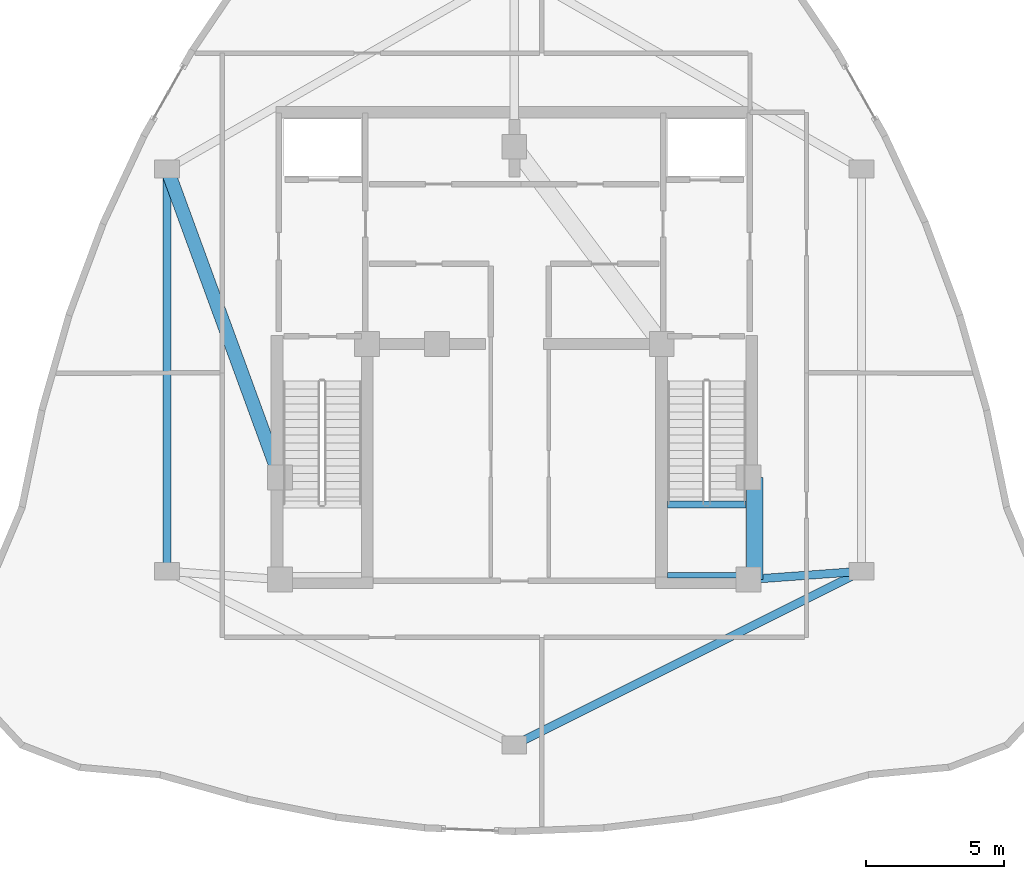
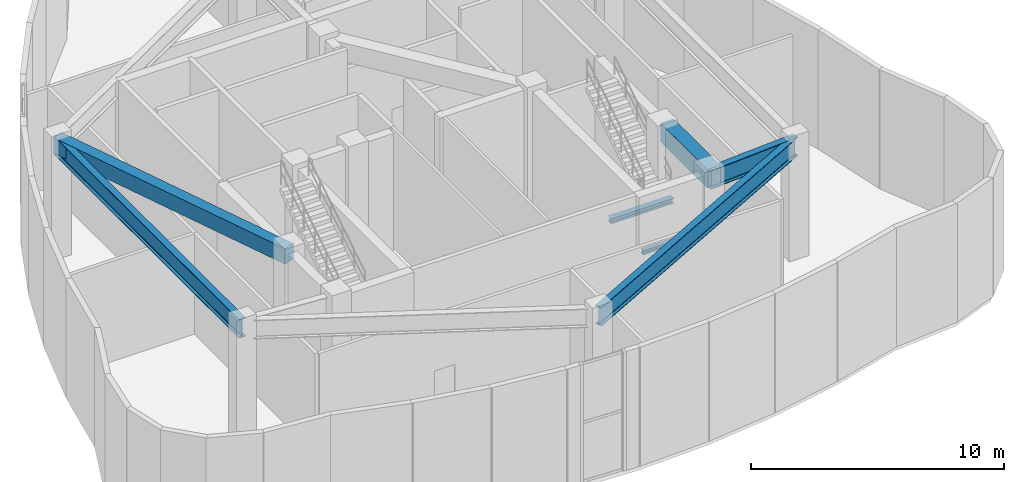
# One storey, part 3 of 10: 7 beams.
"""IFC4 building model written with IfcOpenShell, lengths in metres."""

from ifc_helpers import new_model, si_unit, direction, frame, origin, origin_2d, place, context, subcontext, project, spatial, rectangle, i_section, extrude, material, material_profile, profile_set, type_object, element, save


model = new_model("IFC4")

# Units and contexts
model_context = context("Model", 3, precision=1e-05, world=origin(), true_north=direction((0.0, 1.0)))
body_context = subcontext(model_context, "Body", "Model", "MODEL_VIEW")
ifc_project = project(units=[si_unit("LENGTHUNIT", "METRE"), si_unit("AREAUNIT", "SQUARE_METRE"), si_unit("VOLUMEUNIT", "CUBIC_METRE"), si_unit("PLANEANGLEUNIT", "RADIAN"), si_unit("MASSUNIT", "GRAM", prefix="KILO")], contexts=[model_context])

# Site, building, storey
site_placement = place(None, origin())
site = spatial("IfcSite", under=ifc_project, at=site_placement, CompositionType="ELEMENT")
building_placement = place(site_placement, origin())
building = spatial("IfcBuilding", under=site, at=building_placement, Name="Miruveldt Soraemaru", CompositionType="ELEMENT")
storey_placement = place(building_placement, frame((0.0, 0.0, 306.800048828125)))
storey = spatial("IfcBuildingStorey", under=building, at=storey_placement, Name="L81", CompositionType="ELEMENT", Elevation=306.800048828125)

# Beams
ifc_material_1 = material(Name="Concrete C40/50 (40 MPa)", Category="concrete")
ifc_material_profile_1 = material_profile(ifc_material_1, rectangle(XDim=0.5, YDim=0.75, at=origin_2d()), Name="Concrete C40/50 (40 MPa)", Category="concrete")
ifc_profile_set_1 = profile_set([ifc_material_profile_1], Name="Concrete C40/50 (40 MPa)")
beam_type_1 = type_object("IfcBeamType", Name="BM-RC-500x750", PredefinedType="LINTEL", material=ifc_profile_set_1)
beam_1_placement = place(storey_placement, frame((31.39990234375, 50.39990234375, 5.364990234375), z_axis=(0.343770424598, -0.939053723262, 0.0), x_axis=(0.939053723262, 0.343770424598, 0.0)))
element("IfcBeam", 1, at=beam_1_placement, inside=storey, type_object=beam_type_1, Name="L81 West Lobby Lintel", PredefinedType="LINTEL", context=body_context, shape_type="SweptSolid", body=[
    extrude(rectangle(XDim=0.5, YDim=0.75, at=origin_2d()), origin(), (0.0, 0.0, 1.0), 11.9267578125),
])
ifc_material_2 = material(Name="Concrete C60/75 (60 MPa)", Category="concrete")
ifc_material_profile_2 = material_profile(ifc_material_2, rectangle(XDim=0.60009765625, YDim=0.89990234375, at=origin_2d()), Name="Concrete C60/75 (60 MPa)", Category="concrete")
ifc_profile_set_2 = profile_set([ifc_material_profile_2], Name="Concrete C60/75 (60 MPa)")
beam_type_2 = type_object("IfcBeamType", Name="BM-RC-600x900", PredefinedType="BEAM", material=ifc_profile_set_2)
beam_2_placement = place(storey_placement, frame((52.72998046875, 35.5, 5.2900390625), z_axis=(0.0, 1.0, 0.0), x_axis=(-1.0, 0.0, 0.0)))
element("IfcBeam", 2, at=beam_2_placement, inside=storey, type_object=beam_type_2, Name="L81 Core Tie Beam 3", PredefinedType="BEAM", context=body_context, shape_type="SweptSolid", body=[
    extrude(rectangle(XDim=0.60009765625, YDim=0.89990234375, at=origin_2d()), origin(), (0.0, 0.0, 1.0), 3.699951171875),
])
ifc_material_3 = material(Name="Steel S460 (460 MPa)", Category="steel")
ifc_material_profile_3 = material_profile(ifc_material_3, i_section(OverallWidth=0.300048828125, OverallDepth=0.89990234375, WebThickness=0.01611328125, FlangeThickness=0.028076171875, FilletRadius=0.028076171875, at=origin_2d()), Name="Steel S460 (460 MPa)", Category="steel")
ifc_profile_set_3 = profile_set([ifc_material_profile_3], Name="Steel S460 (460 MPa)")
beam_type_3 = type_object("IfcBeamType", Name="BM-ST-H900", PredefinedType="BEAM", material=ifc_profile_set_3)
beam_3_placement = place(storey_placement, frame((56.60009765625, 35.800048828125, 5.2900390625), z_axis=(-0.894427191, -0.4472135955, 0.0), x_axis=(0.4472135955, -0.894427191, 0.0)))
element("IfcBeam", 3, at=beam_3_placement, inside=storey, type_object=beam_type_3, Name="L81 Inner Ring Girder 3", PredefinedType="BEAM", context=body_context, shape_type="SweptSolid", body=[
    extrude(i_section(OverallWidth=0.300048828125, OverallDepth=0.89990234375, WebThickness=0.01611328125, FlangeThickness=0.028076171875, FilletRadius=0.028076171875, at=origin_2d()), origin(), (0.0, 0.0, 1.0), 14.08740234375),
])
beam_4_placement = place(storey_placement, frame((52.5, 35.5, 5.2900390625), z_axis=(0.997332985605, 0.072985723431, 0.0), x_axis=(-0.072985723431, 0.997332985605, 0.0)))
element("IfcBeam", 4, at=beam_4_placement, inside=storey, type_object=beam_type_3, Name="L81 Core-to-Inner Radial Girder 3", PredefinedType="BEAM", context=body_context, shape_type="SweptSolid", body=[
    extrude(i_section(OverallWidth=0.300048828125, OverallDepth=0.89990234375, WebThickness=0.01611328125, FlangeThickness=0.028076171875, FilletRadius=0.028076171875, at=origin_2d()), origin(), (0.0, 0.0, 1.0), 4.111083984375),
])
beam_5_placement = place(storey_placement, frame((31.39990234375, 35.800048828125, 5.2900390625), z_axis=(0.0, 1.0, 0.0), x_axis=(-1.0, 0.0, 0.0)))
element("IfcBeam", 5, at=beam_5_placement, inside=storey, type_object=beam_type_3, Name="L81 Inner Ring Girder 5", PredefinedType="BEAM", context=body_context, shape_type="SweptSolid", body=[
    extrude(i_section(OverallWidth=0.300048828125, OverallDepth=0.89990234375, WebThickness=0.01611328125, FlangeThickness=0.028076171875, FilletRadius=0.028076171875, at=origin_2d()), origin(), (0.0, 0.0, 1.0), 14.599853515625),
])
ifc_material_4 = material(Name="Steel SM355 (355 MPa)", Category="steel")
ifc_material_profile_4 = material_profile(ifc_material_4, i_section(OverallWidth=0.199951171875, OverallDepth=0.199951171875, WebThickness=0.008056640625, FlangeThickness=0.011962890625, FilletRadius=0.012939453125, at=origin_2d()), Name="Steel SM355 (355 MPa)", Category="steel")
ifc_profile_set_4 = profile_set([ifc_material_profile_4], Name="Steel SM355 (355 MPa)")
beam_type_4 = type_object("IfcBeamType", Name="BM-ST-LND200", PredefinedType="BEAM", material=ifc_profile_set_4)
beam_6_placement = place(storey_placement, frame((49.550048828125, 35.64990234375, 2.699951171875), z_axis=(1.0, 0.0, 0.0), x_axis=(0.0, 1.0, 0.0)))
element("IfcBeam", 6, at=beam_6_placement, inside=storey, type_object=beam_type_4, Name="L81 ST2 Landing End Beam 1B", PredefinedType="BEAM", context=body_context, shape_type="SweptSolid", body=[
    extrude(i_section(OverallWidth=0.199951171875, OverallDepth=0.199951171875, WebThickness=0.008056640625, FlangeThickness=0.011962890625, FilletRadius=0.012939453125, at=origin_2d()), origin(), (0.0, 0.0, 1.0), 2.849853515625),
])
ifc_material_profile_5 = material_profile(ifc_material_4, i_section(OverallWidth=0.25, OverallDepth=0.25, WebThickness=0.009033203125, FlangeThickness=0.013916015625, FilletRadius=0.01611328125, at=origin_2d()), Name="Steel SM355 (355 MPa)", Category="steel")
ifc_profile_set_5 = profile_set([ifc_material_profile_5], Name="Steel SM355 (355 MPa)")
beam_type_5 = type_object("IfcBeamType", Name="BM-ST-LND250", PredefinedType="BEAM", material=ifc_profile_set_5)
beam_7_placement = place(storey_placement, frame((49.550048828125, 38.219970703125, 2.675048828125), z_axis=(1.0, 0.0, 0.0), x_axis=(0.0, 1.0, 0.0)))
element("IfcBeam", 7, at=beam_7_placement, inside=storey, type_object=beam_type_5, Name="L81 ST2 Landing Support Beam 1A", PredefinedType="BEAM", context=body_context, shape_type="SweptSolid", body=[
    extrude(i_section(OverallWidth=0.25, OverallDepth=0.25, WebThickness=0.009033203125, FlangeThickness=0.013916015625, FilletRadius=0.01611328125, at=origin_2d()), origin(), (0.0, 0.0, 1.0), 2.849853515625),
])

save(model, "model.ifc")
